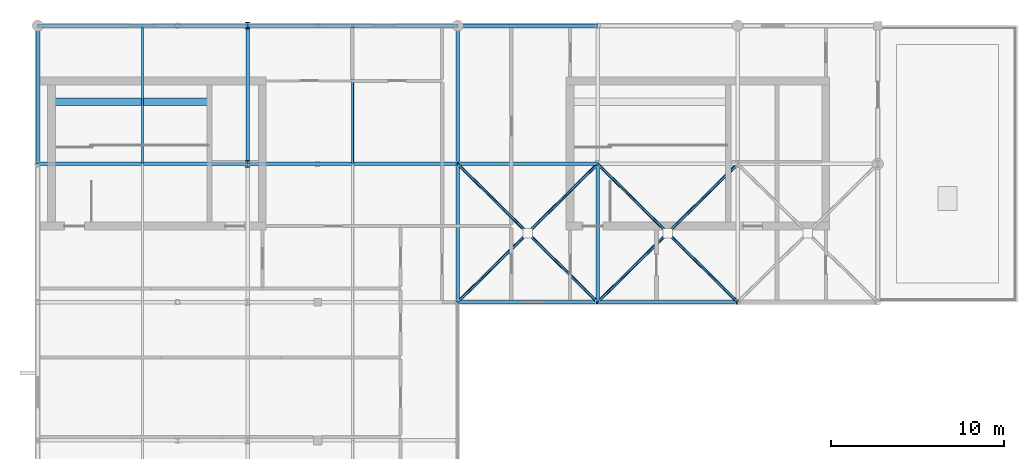
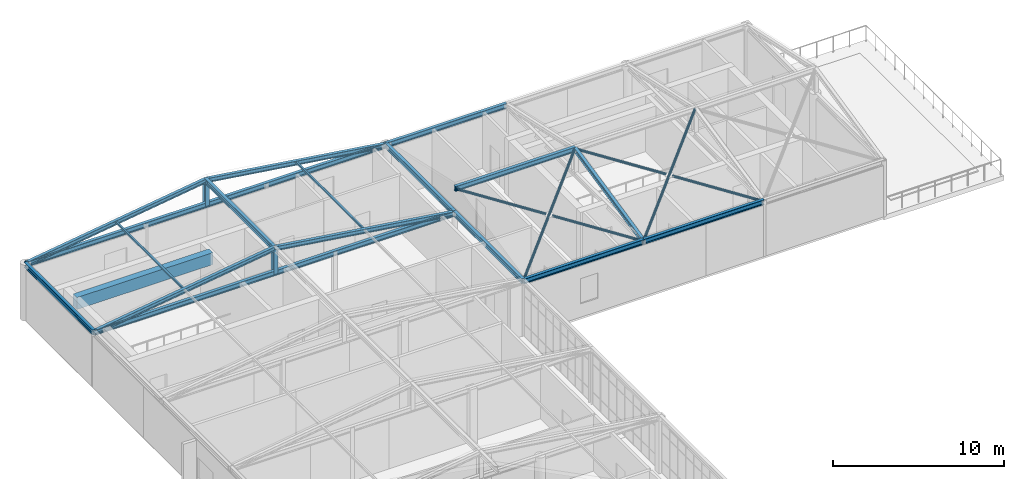
# One storey, part 7 of 21: 15 members, 11 beams.
"""IFC4 building model written with IfcOpenShell, lengths in metres."""

from ifc_helpers import new_model, si_unit, direction, frame, origin, origin_2d, place, context, subcontext, project, spatial, rectangle, hollow_rectangle, hollow_circle, i_section, extrude, material, material_profile, profile_set, type_object, element, save


model = new_model("IFC4")

# Units and contexts
model_context = context("Model", 3, precision=1e-05, world=origin(), true_north=direction((0.0, 1.0)))
body_context = subcontext(model_context, "Body", "Model", "MODEL_VIEW")
ifc_project = project(units=[si_unit("LENGTHUNIT", "METRE"), si_unit("AREAUNIT", "SQUARE_METRE"), si_unit("VOLUMEUNIT", "CUBIC_METRE"), si_unit("PLANEANGLEUNIT", "RADIAN"), si_unit("MASSUNIT", "GRAM", prefix="KILO")], contexts=[model_context])

# Site, building, storey
site_placement = place(None, origin())
site = spatial("IfcSite", under=ifc_project, at=site_placement, CompositionType="ELEMENT")
building_placement = place(site_placement, origin())
building = spatial("IfcBuilding", under=site, at=building_placement, Name="Tarnveldt Square Police Headquarters", CompositionType="ELEMENT")
storey_placement = place(building_placement, frame((0.0, 0.0, 33.300048828125)))
storey = spatial("IfcBuildingStorey", under=building, at=storey_placement, Name="L07", CompositionType="ELEMENT", Elevation=33.300048828125)

# Beams
ifc_material_1 = material(Name="Concrete 50 MPa", Category="concrete")
ifc_material_profile_1 = material_profile(ifc_material_1, rectangle(XDim=0.449951171875, YDim=0.85009765625, at=origin_2d()), Name="RC-CB450x850")
ifc_profile_set_1 = profile_set([ifc_material_profile_1], Name="Concrete 50 MPa")
beam_type_1 = type_object("IfcBeamType", Name="BM-CB450x850", PredefinedType="BEAM", material=ifc_profile_set_1)
beam_1_placement = place(storey_placement, frame((17.0, 107.60009765625, 3.554931640625), z_axis=(1.0, 0.0, 0.0), x_axis=(0.0, 1.0, 0.0)))
element("IfcBeam", 1, at=beam_1_placement, inside=storey, type_object=beam_type_1, Name="Core K2 North-West Operations Core L07 Ductile Coupling Beam", PredefinedType="BEAM", context=body_context, shape_type="SweptSolid", body=[
    extrude(rectangle(XDim=0.449951171875, YDim=0.85009765625, at=origin_2d()), origin(), (0.0, 0.0, 1.0), 9.14990234375),
])
ifc_material_2 = material(Name="Steel 350W", Category="steel")
ifc_material_profile_2 = material_profile(ifc_material_2, i_section(OverallWidth=0.205078125, OverallDepth=0.35400390625, WebThickness=0.009521484375, FlangeThickness=0.016845703125, FilletRadius=0.01611328125, at=origin_2d()), Name="W360x79")
ifc_profile_set_2 = profile_set([ifc_material_profile_2], Name="Steel 350W")
beam_type_2 = type_object("IfcBeamType", Name="BM-W360x79", PredefinedType="JOIST", material=ifc_profile_set_2)
for number, where, z_axis, x_axis, name in (
    (2, (16.199951171875, 104.0, 3.83984375), (1.0, 0.0, 0.0), (0.0, 1.0, 0.0), "L07 Roof Tie Girder 104"),
    (3, (16.199951171875, 112.0, 3.83984375), (1.0, 0.0, 0.0), (0.0, 1.0, 0.0), "L07 Roof Tie Girder 112"),
):
    element("IfcBeam", number, at=place(storey_placement, frame(where, z_axis=z_axis, x_axis=x_axis)), inside=storey, type_object=beam_type_2, Name=name, PredefinedType="JOIST", context=body_context, shape_type="SweptSolid", body=[
        extrude(i_section(OverallWidth=0.205078125, OverallDepth=0.35400390625, WebThickness=0.009521484375, FlangeThickness=0.016845703125, FilletRadius=0.01611328125, at=origin_2d()), origin(), (0.0, 0.0, 1.0), 24.300048828125),
    ])
for number, where, z_axis, x_axis, name in (
    (4, (40.5, 96.0, 3.83984375), (0.0, 1.0, 0.0), (-1.0, 0.0, 0.0), "L07 Eave Girder E-6"),
    (5, (16.199951171875, 104.0, 3.83984375), (0.0, 1.0, 0.0), (-1.0, 0.0, 0.0), "L07 Eave Girder W-7"),
    (6, (40.5, 104.0, 3.83984375), (0.0, 1.0, 0.0), (-1.0, 0.0, 0.0), "L07 Eave Girder E-7"),
    (7, (28.35009765625, 104.0, 5.579833984375), (0.0, 1.0, 0.0), (-1.0, 0.0, 0.0), "L07 Ridge Beam 7"),
):
    element("IfcBeam", number, at=place(storey_placement, frame(where, z_axis=z_axis, x_axis=x_axis)), inside=storey, type_object=beam_type_2, Name=name, PredefinedType="JOIST", context=body_context, shape_type="SweptSolid", body=[
        extrude(i_section(OverallWidth=0.205078125, OverallDepth=0.35400390625, WebThickness=0.009521484375, FlangeThickness=0.016845703125, FilletRadius=0.01611328125, at=origin_2d()), origin(), (0.0, 0.0, 1.0), 8.0),
    ])
for number, where, z_axis, x_axis, name in (
    (8, (40.5, 96.0, 3.83984375), (1.0, 0.0, 0.0), (0.0, 1.0, 0.0), "L07 North Return Eave Girder S-1"),
    (9, (40.5, 112.0, 3.83984375), (1.0, 0.0, 0.0), (0.0, 1.0, 0.0), "L07 North Return Eave Girder N-1"),
    (10, (40.5, 104.0, 5.579833984375), (1.0, 0.0, 0.0), (0.0, 1.0, 0.0), "L07 North Return Ridge Beam 1"),
):
    element("IfcBeam", number, at=place(storey_placement, frame(where, z_axis=z_axis, x_axis=x_axis)), inside=storey, type_object=beam_type_2, Name=name, PredefinedType="JOIST", context=body_context, shape_type="SweptSolid", body=[
        extrude(i_section(OverallWidth=0.205078125, OverallDepth=0.35400390625, WebThickness=0.009521484375, FlangeThickness=0.016845703125, FilletRadius=0.01611328125, at=origin_2d()), origin(), (0.0, 0.0, 1.0), 8.10009765625),
    ])
beam_2_placement = place(storey_placement, frame((48.60009765625, 96.0, 3.83984375), z_axis=(1.0, 0.0, 0.0), x_axis=(0.0, 1.0, 0.0)))
element("IfcBeam", 11, at=beam_2_placement, inside=storey, type_object=beam_type_2, Name="L07 North Return Eave Girder S-2", PredefinedType="JOIST", context=body_context, shape_type="SweptSolid", body=[
    extrude(i_section(OverallWidth=0.205078125, OverallDepth=0.35400390625, WebThickness=0.009521484375, FlangeThickness=0.016845703125, FilletRadius=0.01611328125, at=origin_2d()), origin(), (0.0, 0.0, 1.0), 8.099853515625),
])

# Members
ifc_material_profile_3 = material_profile(ifc_material_2, i_section(OverallWidth=0.257080078125, OverallDepth=0.363037109375, WebThickness=0.012939453125, FlangeThickness=0.021728515625, FilletRadius=0.01611328125, at=origin_2d()), Name="W360x122")
ifc_profile_set_3 = profile_set([ifc_material_profile_3], Name="Steel 350W")
member_type_1 = type_object("IfcMemberType", Name="MEM-CT-POST", PredefinedType="STRUT", material=ifc_profile_set_3)
for number, where, z_axis, x_axis, name in (
    (12, (28.35009765625, 104.0, 3.83984375), (0.0, 0.0, 1.0), (1.0, 0.0, 0.0), "L07 Roof King Post 104"),
    (13, (28.35009765625, 112.0, 3.83984375), (0.0, 0.0, 1.0), (1.0, 0.0, 0.0), "L07 Roof King Post 112"),
):
    element("IfcMember", number, at=place(storey_placement, frame(where, z_axis=z_axis, x_axis=x_axis)), inside=storey, type_object=member_type_1, Name=name, PredefinedType="STRUT", context=body_context, shape_type="SweptSolid", body=[
        extrude(i_section(OverallWidth=0.257080078125, OverallDepth=0.363037109375, WebThickness=0.012939453125, FlangeThickness=0.021728515625, FilletRadius=0.01611328125, at=origin_2d()), origin(), (0.0, 0.0, 1.0), 1.739990234375),
    ])
ifc_material_profile_4 = material_profile(ifc_material_2, hollow_rectangle(XDim=0.126953125, YDim=0.126953125, WallThickness=0.008056640625, InnerFilletRadius=0.008056640625, OuterFilletRadius=0.01611328125, at=origin_2d()), Name="HSS127x127x8.0")
ifc_profile_set_4 = profile_set([ifc_material_profile_4], Name="Steel 350W")
member_type_2 = type_object("IfcMemberType", Name="MEM-L07-PUR", PredefinedType="PURLIN", material=ifc_profile_set_4)
for number, where, z_axis, x_axis, name in (
    (14, (22.27490234375, 104.0, 4.760009765625), (0.0, 1.0, 0.0), (-1.0, 0.0, 0.0), "L07 Pitched Roof Purlin W-7"),
    (15, (34.425048828125, 104.0, 4.760009765625), (0.0, 1.0, 0.0), (-1.0, 0.0, 0.0), "L07 Pitched Roof Purlin E-7"),
):
    element("IfcMember", number, at=place(storey_placement, frame(where, z_axis=z_axis, x_axis=x_axis)), inside=storey, type_object=member_type_2, Name=name, PredefinedType="PURLIN", context=body_context, shape_type="SweptSolid", body=[
        extrude(hollow_rectangle(XDim=0.126953125, YDim=0.126953125, WallThickness=0.008056640625, InnerFilletRadius=0.008056640625, OuterFilletRadius=0.01611328125, at=origin_2d()), origin(), (0.0, 0.0, 1.0), 8.0),
    ])
ifc_material_profile_5 = material_profile(ifc_material_2, i_section(OverallWidth=0.202880859375, OverallDepth=0.302978515625, WebThickness=0.007568359375, FlangeThickness=0.01318359375, FilletRadius=0.014892578125, at=origin_2d()), Name="W310x60")
ifc_profile_set_5 = profile_set([ifc_material_profile_5], Name="Steel 350W")
member_type_3 = type_object("IfcMemberType", Name="MEM-L07-RAF", PredefinedType="RAFTER", material=ifc_profile_set_5)
member_1_placement = place(storey_placement, frame((16.199951171875, 104.0, 3.83984375), z_axis=(0.989900902037, 0.0, 0.141761081215), x_axis=(0.0, 1.0, 0.0)))
element("IfcMember", 16, at=member_1_placement, inside=storey, type_object=member_type_3, Name="L07 Pitched Roof Rafter W-104", PredefinedType="RAFTER", context=body_context, shape_type="SweptSolid", body=[
    extrude(i_section(OverallWidth=0.202880859375, OverallDepth=0.302978515625, WebThickness=0.007568359375, FlangeThickness=0.01318359375, FilletRadius=0.014892578125, at=origin_2d()), origin(), (0.0, 0.0, 1.0), 12.274169921875),
])
member_2_placement = place(storey_placement, frame((28.35009765625, 104.0, 5.579833984375), z_axis=(0.989900502297, 0.0, -0.141763872521), x_axis=(0.0, 1.0, 0.0)))
element("IfcMember", 17, at=member_2_placement, inside=storey, type_object=member_type_3, Name="L07 Pitched Roof Rafter E-104", PredefinedType="RAFTER", context=body_context, shape_type="SweptSolid", body=[
    extrude(i_section(OverallWidth=0.202880859375, OverallDepth=0.302978515625, WebThickness=0.007568359375, FlangeThickness=0.01318359375, FilletRadius=0.014892578125, at=origin_2d()), origin(), (0.0, 0.0, 1.0), 12.27392578125),
])
member_3_placement = place(storey_placement, frame((16.199951171875, 112.0, 3.83984375), z_axis=(0.989900902037, 0.0, 0.141761081215), x_axis=(0.0, 1.0, 0.0)))
element("IfcMember", 18, at=member_3_placement, inside=storey, type_object=member_type_3, Name="L07 Pitched Roof Rafter W-112", PredefinedType="RAFTER", context=body_context, shape_type="SweptSolid", body=[
    extrude(i_section(OverallWidth=0.202880859375, OverallDepth=0.302978515625, WebThickness=0.007568359375, FlangeThickness=0.01318359375, FilletRadius=0.014892578125, at=origin_2d()), origin(), (0.0, 0.0, 1.0), 12.274169921875),
])
member_4_placement = place(storey_placement, frame((28.35009765625, 112.0, 5.579833984375), z_axis=(0.989900502297, 0.0, -0.141763872521), x_axis=(0.0, 1.0, 0.0)))
element("IfcMember", 19, at=member_4_placement, inside=storey, type_object=member_type_3, Name="L07 Pitched Roof Rafter E-112", PredefinedType="RAFTER", context=body_context, shape_type="SweptSolid", body=[
    extrude(i_section(OverallWidth=0.202880859375, OverallDepth=0.302978515625, WebThickness=0.007568359375, FlangeThickness=0.01318359375, FilletRadius=0.014892578125, at=origin_2d()), origin(), (0.0, 0.0, 1.0), 12.27392578125),
])
member_5_placement = place(storey_placement, frame((48.60009765625, 96.0, 3.83984375), z_axis=(0.0, 0.977154558672, 0.212529923696), x_axis=(-1.0, 0.0, 0.0)))
element("IfcMember", 20, at=member_5_placement, inside=storey, type_object=member_type_3, Name="L07 North Return Rafter S-48", PredefinedType="RAFTER", context=body_context, shape_type="SweptSolid", body=[
    extrude(i_section(OverallWidth=0.202880859375, OverallDepth=0.302978515625, WebThickness=0.007568359375, FlangeThickness=0.01318359375, FilletRadius=0.014892578125, at=origin_2d()), origin(), (0.0, 0.0, 1.0), 8.18701171875),
])
ifc_material_profile_6 = material_profile(ifc_material_2, hollow_circle(Radius=0.084228515625, WallThickness=0.009521484375, at=origin_2d()), Name="HSS168x9.5")
ifc_profile_set_6 = profile_set([ifc_material_profile_6], Name="Steel 350W")
member_type_4 = type_object("IfcMemberType", Name="MEM-WIND-BR1", PredefinedType="BRACE", material=ifc_profile_set_6)
member_6_placement = place(storey_placement, frame((40.5, 96.0, 3.83984375), z_axis=(0.703322308612, 0.69463094245, 0.151081382045), x_axis=(-0.702696970457, 0.711489260432, 0.0)))
element("IfcMember", 21, at=member_6_placement, inside=storey, type_object=member_type_4, Name="Roof Wind Brace 1", PredefinedType="BRACE", context=body_context, shape_type="SweptSolid", body=[
    extrude(hollow_circle(Radius=0.084228515625, WallThickness=0.009521484375, at=origin_2d()), origin(), (0.0, 0.0, 1.0), 11.516845703125),
])
member_7_placement = place(storey_placement, frame((48.60009765625, 96.0, 3.83984375), z_axis=(-0.70332729619, 0.694618309074, 0.151116243777), x_axis=(-0.702687978311, -0.711498141345, 0.0)))
element("IfcMember", 22, at=member_7_placement, inside=storey, type_object=member_type_4, Name="Roof Wind Counter-Brace 1 South", PredefinedType="BRACE", context=body_context, shape_type="SweptSolid", body=[
    extrude(hollow_circle(Radius=0.084228515625, WallThickness=0.009521484375, at=origin_2d()), origin(), (0.0, 0.0, 1.0), 5.57861328125),
])
member_8_placement = place(storey_placement, frame((44.42333984375, 100.125, 4.737060546875), z_axis=(-0.703309830907, 0.694644283519, 0.151078129203), x_axis=(-0.702710113038, -0.711476280022, 0.0)))
element("IfcMember", 23, at=member_8_placement, inside=storey, type_object=member_type_4, Name="Roof Wind Counter-Brace 1 North", PredefinedType="BRACE", context=body_context, shape_type="SweptSolid", body=[
    extrude(hollow_circle(Radius=0.084228515625, WallThickness=0.009521484375, at=origin_2d()), origin(), (0.0, 0.0, 1.0), 5.578369140625),
])
member_9_placement = place(storey_placement, frame((48.60009765625, 96.0, 3.83984375), z_axis=(0.703311595994, 0.694641299018, 0.151083634586), x_axis=(-0.702707692017, 0.711478671205, 0.0)))
element("IfcMember", 24, at=member_9_placement, inside=storey, type_object=member_type_4, Name="Roof Wind Brace 2", PredefinedType="BRACE", context=body_context, shape_type="SweptSolid", body=[
    extrude(hollow_circle(Radius=0.084228515625, WallThickness=0.009521484375, at=origin_2d()), origin(), (0.0, 0.0, 1.0), 11.516845703125),
])
for number, where, z_axis, x_axis, name in (
    (25, (56.699951171875, 96.0, 3.83984375), (-0.70330518, 0.694639689916, 0.151120895242), (-0.702710113038, -0.711476280022, 0.0), "Roof Wind Counter-Brace 2 South"),
    (26, (52.5234375, 100.125, 4.737060546875), (-0.703309830907, 0.694644283519, 0.151078129203), (-0.702710113038, -0.711476280022, 0.0), "Roof Wind Counter-Brace 2 North"),
):
    element("IfcMember", number, at=place(storey_placement, frame(where, z_axis=z_axis, x_axis=x_axis)), inside=storey, type_object=member_type_4, Name=name, PredefinedType="BRACE", context=body_context, shape_type="SweptSolid", body=[
        extrude(hollow_circle(Radius=0.084228515625, WallThickness=0.009521484375, at=origin_2d()), origin(), (0.0, 0.0, 1.0), 5.578369140625),
    ])

save(model, "model.ifc")
